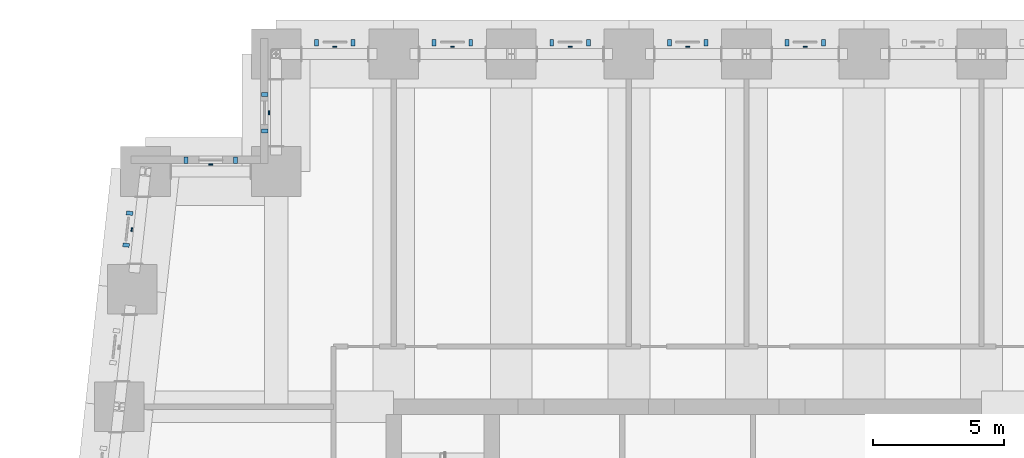
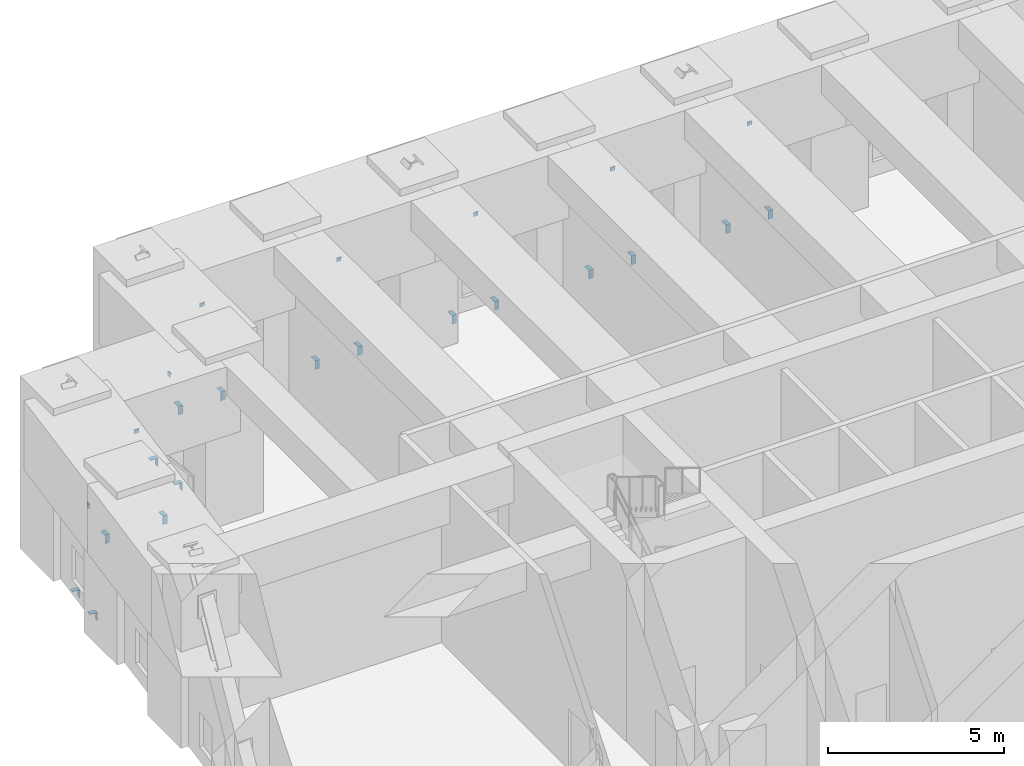
# One storey, part 14 of 17: 24 discrete accessories.
"""IFC4 building model written with IfcOpenShell, lengths in metres."""

import ifcopenshell
import ifcopenshell.guid

model = None  # the IFC model being written
_history = None  # IfcOwnerHistory: only IFC2X3 demands one
_inside = {}  # id of a spatial element -> (the spatial element, [elements in it])
_under = {}  # id of a project, library or spatial element -> (it, [spatial elements below it])
_declared = {}  # id of a project -> (the project, [libraries it declares])
_typed = {}  # id of a type object -> (the type object, [elements of that type])
_made_of = {}  # id of a material, layer set ... -> (it, [elements and type objects made of it])


def new_model(schema):
    """Start an empty IFC model of exactly this schema.

    Asked for "IFC4X3", IfcOpenShell would pick the latest addendum, in which some entities
    have other attributes; the version numbers below select the first issue.
    IFC2X3 requires an IfcOwnerHistory on every rooted entity: one is made here for all.
    """
    global model, _history
    if schema == "IFC4X3":
        model = ifcopenshell.file(schema_version=(4, 3, 0, 0))
    else:
        model = ifcopenshell.file(schema=schema)
    _inside.clear()
    _under.clear()
    _declared.clear()
    _typed.clear()
    _made_of.clear()
    _history = None
    if model.schema == "IFC2X3":
        org = make("IfcOrganization", Name="unknown")
        user = make(
            "IfcPersonAndOrganization",
            ThePerson=make("IfcPerson", FamilyName="unknown"),
            TheOrganization=org,
        )
        app = make(
            "IfcApplication",
            ApplicationDeveloper=org,
            Version="unknown",
            ApplicationFullName="unknown",
            ApplicationIdentifier="unknown",
        )
        _history = make(
            "IfcOwnerHistory",
            OwningUser=user,
            OwningApplication=app,
            ChangeAction="ADDED",
            CreationDate=0,
        )
    return model


def make(cls, **values):
    """One entity of the class cls with the attributes given. An attribute that is None is left unset."""
    return model.create_entity(
        cls, **{name: value for name, value in values.items() if value is not None}
    )


def rooted(cls, **values):
    """An entity with a GlobalId (a new one), such as an element, a storey or a relation."""
    return make(cls, GlobalId=ifcopenshell.guid.new(), OwnerHistory=_history, **values)


def si_unit(unit_type, name, prefix=None):
    """IfcSIUnit, for example si_unit("LENGTHUNIT", "METRE", prefix="MILLI")."""
    return make("IfcSIUnit", UnitType=unit_type, Prefix=prefix, Name=name)


def assignment(units):
    """IfcUnitAssignment: the units of a project."""
    return None if units is None else make("IfcUnitAssignment", Units=units)


def point(xyz):
    """IfcCartesianPoint."""
    return None if xyz is None else make("IfcCartesianPoint", Coordinates=xyz)


def direction(xyz):
    """IfcDirection."""
    return None if xyz is None else make("IfcDirection", DirectionRatios=xyz)


def frame(location, z_axis=None, x_axis=None):
    """IfcAxis2Placement3D, a coordinate frame: its origin and axes. An axis left out is left unset."""
    return make(
        "IfcAxis2Placement3D",
        Location=point(location),
        Axis=direction(z_axis),
        RefDirection=direction(x_axis),
    )


def origin():
    """The frame at (0, 0, 0) with its axes left unset."""
    return frame((0.0, 0.0, 0.0))


def place(relative_to, where):
    """IfcLocalPlacement: puts the frame where relative to a parent placement (None: the world)."""
    return make(
        "IfcLocalPlacement", PlacementRelTo=relative_to, RelativePlacement=where
    )


def context(
    kind, dimensions, precision=None, world=None, true_north=None, identifier=None
):
    """IfcGeometricRepresentationContext, for example the 3D "Model" context."""
    return make(
        "IfcGeometricRepresentationContext",
        ContextIdentifier=identifier,
        ContextType=kind,
        CoordinateSpaceDimension=dimensions,
        Precision=precision,
        WorldCoordinateSystem=world,
        TrueNorth=true_north,
    )


def subcontext(parent, identifier, kind, view, scale=None):
    """IfcGeometricRepresentationSubContext, for example "Body" below "Model"."""
    return make(
        "IfcGeometricRepresentationSubContext",
        ContextIdentifier=identifier,
        ContextType=kind,
        ParentContext=parent,
        TargetScale=scale,
        TargetView=view,
    )


def project(units=None, contexts=None):
    """IfcProject with its units and contexts."""
    return rooted(
        "IfcProject",
        Name="project",
        RepresentationContexts=contexts,
        UnitsInContext=assignment(units),
    )


def spatial(cls, under=None, at=None, **own):
    """A site, building, storey or space (cls), placed at a placement, below another one or the project."""
    s = rooted(cls, ObjectPlacement=at, **own)
    if under is not None:
        _under.setdefault(under.id(), (under, []))[1].append(s)
    return s


def polyline(points):
    """IfcPolyline through the points."""
    return make("IfcPolyline", Points=[point(p) for p in points])


def outline(outer, holes=None, kind="AREA"):
    """IfcArbitraryClosedProfileDef: a profile drawn as a closed curve; with holes, ...WithVoids."""
    if holes is None:
        return make("IfcArbitraryClosedProfileDef", ProfileType=kind, OuterCurve=outer)
    return make(
        "IfcArbitraryProfileDefWithVoids",
        ProfileType=kind,
        OuterCurve=outer,
        InnerCurves=holes,
    )


def extrude(swept, where, along, depth):
    """IfcExtrudedAreaSolid: the profile swept, set in the frame where, extruded along a direction by depth."""
    return make(
        "IfcExtrudedAreaSolid",
        SweptArea=swept,
        Position=where,
        ExtrudedDirection=direction(along),
        Depth=depth,
    )


def shape(context_of_items, identifier, shape_type, items):
    """IfcShapeRepresentation: the items that make up one representation, for example the "Body"."""
    return make(
        "IfcShapeRepresentation",
        ContextOfItems=context_of_items,
        RepresentationIdentifier=identifier,
        RepresentationType=shape_type,
        Items=items,
    )


def source(mapping_origin, context_of_items, identifier, shape_type, items):
    """IfcRepresentationMap: a shape defined once, which mapped items show again and again."""
    return make(
        "IfcRepresentationMap",
        MappingOrigin=mapping_origin,
        MappedRepresentation=shape(context_of_items, identifier, shape_type, items),
    )


def transform(
    local_origin,
    x_axis=None,
    y_axis=None,
    z_axis=None,
    scale=None,
    scale2=None,
    scale3=None,
    uniform=True,
):
    """IfcCartesianTransformationOperator3D, or its non-uniform kind. x_axis, y_axis, z_axis: its Axis1, 2, 3."""
    if uniform:
        return make(
            "IfcCartesianTransformationOperator3D",
            Axis1=direction(x_axis),
            Axis2=direction(y_axis),
            LocalOrigin=point(local_origin),
            Scale=scale,
            Axis3=direction(z_axis),
        )
    return make(
        "IfcCartesianTransformationOperator3DnonUniform",
        Axis1=direction(x_axis),
        Axis2=direction(y_axis),
        LocalOrigin=point(local_origin),
        Scale=scale,
        Axis3=direction(z_axis),
        Scale2=scale2,
        Scale3=scale3,
    )


def mapped(mapping_source, mapping_target):
    """IfcMappedItem: shows the shape of a source again, moved by a transform."""
    return make(
        "IfcMappedItem", MappingSource=mapping_source, MappingTarget=mapping_target
    )


def material(Name=None, Category=None):
    """IfcMaterial."""
    return make("IfcMaterial", Name=Name, Category=Category)


def layer(
    of_material, thickness, ventilated=None, Name=None, Category=None, Priority=None
):
    """IfcMaterialLayer: one layer of a wall or slab, of a material (None: an air gap)."""
    return make(
        "IfcMaterialLayer",
        Material=of_material,
        LayerThickness=thickness,
        IsVentilated=ventilated,
        Name=Name,
        Category=Category,
        Priority=Priority,
    )


def layer_set(layers, Name=None):
    """IfcMaterialLayerSet."""
    return make("IfcMaterialLayerSet", MaterialLayers=layers, LayerSetName=Name)


def made_of(thing, what):
    """Note that an element or type object is made of a material, layer set ...; save() writes the relation."""
    if what is not None:
        _made_of.setdefault(what.id(), (what, []))[1].append(thing)
    return thing


def type_object(cls, material=None, **own):
    """A type object (cls), such as IfcWallType, which elements share."""
    return made_of(rooted(cls, **own), material)


def element(
    cls,
    number,
    at=None,
    inside=None,
    cuts=None,
    type_object=None,
    material=None,
    context=None,
    identifier="Body",
    shape_type=None,
    held_by="IfcProductDefinitionShape",
    body=None,
    shapes=None,
    **own,
):
    """One element of the class cls, such as IfcWall. Its Tag is "e" and its number.

    at: its placement. inside: the storey or other place that contains it. cuts: it is an
    opening in that element (IfcRelVoidsElement). A single representation is given by context,
    identifier, shape_type and body (its items); several are given by shapes. held_by: the class
    of the entity that holds the representations. save() writes the other relations.
    """
    e = rooted(cls, Tag="e%d" % number, ObjectPlacement=at, **own)
    if body is not None:
        shapes = [shape(context, identifier, shape_type, body)]
    if shapes is not None:
        e.Representation = make(held_by, Representations=shapes)
    if inside is not None:
        _inside.setdefault(inside.id(), (inside, []))[1].append(e)
    if cuts is not None:
        rooted(
            "IfcRelVoidsElement", RelatingBuildingElement=cuts, RelatedOpeningElement=e
        )
    if type_object is not None:
        _typed.setdefault(type_object.id(), (type_object, []))[1].append(e)
    return made_of(e, material)


def aggregate(whole, parts):
    """IfcRelAggregates: a whole, such as a stair, and the parts it consists of."""
    return rooted("IfcRelAggregates", RelatingObject=whole, RelatedObjects=parts)


def save(model, path):
    """Write the relations noted so far, then the file.

    IfcRelAggregates (storeys below a building ...), IfcRelContainedInSpatialStructure (elements
    in a storey), IfcRelDefinesByType, IfcRelAssociatesMaterial and IfcRelDeclares: one each for
    every whole, place, type object, material and project.
    """
    for whole, parts in _under.values():
        aggregate(whole, parts)
    for where, things in _inside.values():
        rooted(
            "IfcRelContainedInSpatialStructure",
            RelatedElements=things,
            RelatingStructure=where,
        )
    for kind, things in _typed.values():
        rooted("IfcRelDefinesByType", RelatedObjects=things, RelatingType=kind)
    for what, things in _made_of.values():
        rooted("IfcRelAssociatesMaterial", RelatedObjects=things, RelatingMaterial=what)
    for by, libraries in _declared.values():
        rooted("IfcRelDeclares", RelatingContext=by, RelatedDefinitions=libraries)
    model.write(path)


model = new_model("IFC4")

# Units and contexts
model_context = context("Model", 3, precision=1e-05, world=origin(), true_north=direction((0.0, 1.0)))
body_context = subcontext(model_context, "Body", "Model", "MODEL_VIEW")
ifc_project = project(units=[si_unit("LENGTHUNIT", "METRE"), si_unit("AREAUNIT", "SQUARE_METRE"), si_unit("VOLUMEUNIT", "CUBIC_METRE"), si_unit("PLANEANGLEUNIT", "RADIAN"), si_unit("MASSUNIT", "GRAM", prefix="KILO")], contexts=[model_context])

# Site, building, storey
site_placement = place(None, origin())
site = spatial("IfcSite", under=ifc_project, at=site_placement, CompositionType="ELEMENT")
building_placement = place(site_placement, origin())
building = spatial("IfcBuilding", under=site, at=building_placement, Name="Kilele Tower Hotel", CompositionType="ELEMENT")
storey_placement = place(building_placement, frame((0.0, 0.0, 151.89990234375)))
storey = spatial("IfcBuildingStorey", under=building, at=storey_placement, Name="L39", CompositionType="ELEMENT", Elevation=151.89990234375)

# Discrete accessories
ifc_material_1 = material(Name="Hot-dip galvanized steel S355", Category="steel")
ifc_layer_1 = layer(ifc_material_1, 0.014892578125)
ifc_layer_set_1 = layer_set([ifc_layer_1], Name="Hot-dip galvanized steel S355")
discrete_accessory_type_1 = type_object("IfcDiscreteAccessoryType", Name="Facade panel bearing bracket 250x150x15", PredefinedType="BRACKET", material=ifc_layer_set_1)
shared_shape_1 = source(origin(), body_context, "Body", "SweptSolid", [
    extrude(outline(polyline([(0.0, 0.0), (0.25, 0.0), (0.25, -0.014892578125), (0.014892578125, -0.014892578125), (0.014892578125, -0.300048828125), (0.0, -0.300048828125), (0.0, 0.0)])), origin(), (0.0, 0.0, 1.0), 0.14990234375),
])
for number, where, z_axis, x_axis, name in (
    (1, (29.875, 40.800048828125, 0.0), (1.0, 0.0, 0.0), (0.0, 1.0, 0.0), "Facade panel bearing bracket L39"),
    (2, (28.47509765625, 40.800048828125, 0.0), (1.0, 0.0, 0.0), (0.0, 1.0, 0.0), "Facade panel bearing bracket L39"),
    (3, (25.375, 40.800048828125, 0.0), (1.0, 0.0, 0.0), (0.0, 1.0, 0.0), "Facade panel bearing bracket L39"),
    (4, (23.97509765625, 40.800048828125, 0.0), (1.0, 0.0, 0.0), (0.0, 1.0, 0.0), "Facade panel bearing bracket L39"),
    (5, (20.875, 40.800048828125, 0.0), (1.0, 0.0, 0.0), (0.0, 1.0, 0.0), "Facade panel bearing bracket L39"),
    (6, (19.47509765625, 40.800048828125, 0.0), (1.0, 0.0, 0.0), (0.0, 1.0, 0.0), "Facade panel bearing bracket L39"),
    (7, (16.375, 40.800048828125, 0.0), (1.0, 0.0, 0.0), (0.0, 1.0, 0.0), "Facade panel bearing bracket L39"),
    (8, (14.97509765625, 40.800048828125, 0.0), (1.0, 0.0, 0.0), (0.0, 1.0, 0.0), "Facade panel bearing bracket L39"),
    (9, (11.875, 40.800048828125, 0.0), (1.0, 0.0, 0.0), (0.0, 1.0, 0.0), "Facade panel bearing bracket L39"),
    (10, (10.47509765625, 40.800048828125, 0.0), (1.0, 0.0, 0.0), (0.0, 1.0, 0.0), "Facade panel bearing bracket L39"),
    (11, (8.699951171875, 38.875, 0.0), (0.0, 1.0, 0.0), (-1.0, 0.0, 0.0), "Facade panel bearing bracket L39"),
    (12, (8.699951171875, 37.47509765625, 0.0), (0.0, 1.0, 0.0), (-1.0, 0.0, 0.0), "Facade panel bearing bracket L39"),
    (13, (7.375, 36.300048828125, 0.0), (1.0, 0.0, 0.0), (0.0, 1.0, 0.0), "Facade panel bearing bracket L39"),
    (14, (5.47509765625, 36.300048828125, 0.0), (1.0, 0.0, 0.0), (0.0, 1.0, 0.0), "Facade panel bearing bracket L39"),
    (15, (3.511474609375, 34.319580078125, 0.0), (0.110432, 0.993884, 0.0), (-0.993884, 0.110432, 0.0), "Facade panel bearing bracket L39"),
    (16, (3.375732421875, 33.09765625, 0.0), (0.110432, 0.993884, 0.0), (-0.993884, 0.110432, 0.0), "Facade panel bearing bracket L39"),
):
    element("IfcDiscreteAccessory", number, at=place(storey_placement, frame(where, z_axis=z_axis, x_axis=x_axis)), inside=storey, type_object=discrete_accessory_type_1, Name=name, PredefinedType="BRACKET", context=body_context, shape_type="MappedRepresentation", body=[
        mapped(shared_shape_1, transform((0.0, 0.0, 0.0))),
    ])
ifc_material_2 = material(Name="Hot-dip galvanized steel S355", Category="steel")
ifc_layer_2 = layer(ifc_material_2, 0.011962890625)
ifc_layer_set_2 = layer_set([ifc_layer_2], Name="Hot-dip galvanized steel S355")
discrete_accessory_type_2 = type_object("IfcDiscreteAccessoryType", Name="Facade panel restraint bracket 150x50x12", PredefinedType="BRACKET", material=ifc_layer_set_2)
shared_shape_2 = source(origin(), body_context, "Body", "SweptSolid", [
    extrude(outline(polyline([(0.0, 0.0), (0.0, -0.14990234375), (-0.011962890625, -0.14990234375), (-0.011962890625, -0.011962890625), (-0.050048828125, -0.011962890625), (-0.050048828125, 0.0), (0.0, 0.0)])), origin(), (0.0, 0.0, 1.0), 0.14990234375),
])
for number, where, z_axis, x_axis, name in (
    (17, (29.175048828125, 40.800048828125, 3.35009765625), (1.0, 0.0, 0.0), (0.0, 1.0, 0.0), "Facade panel restraint bracket L39"),
    (18, (24.675048828125, 40.800048828125, 3.35009765625), (1.0, 0.0, 0.0), (0.0, 1.0, 0.0), "Facade panel restraint bracket L39"),
    (19, (20.175048828125, 40.800048828125, 3.35009765625), (1.0, 0.0, 0.0), (0.0, 1.0, 0.0), "Facade panel restraint bracket L39"),
    (20, (15.675048828125, 40.800048828125, 3.35009765625), (1.0, 0.0, 0.0), (0.0, 1.0, 0.0), "Facade panel restraint bracket L39"),
    (21, (11.175048828125, 40.800048828125, 3.35009765625), (1.0, 0.0, 0.0), (0.0, 1.0, 0.0), "Facade panel restraint bracket L39"),
    (22, (8.699951171875, 38.175048828125, 3.35009765625), (0.0, 1.0, 0.0), (-1.0, 0.0, 0.0), "Facade panel restraint bracket L39"),
    (23, (6.425048828125, 36.300048828125, 3.35009765625), (1.0, 0.0, 0.0), (0.0, 1.0, 0.0), "Facade panel restraint bracket L39"),
    (24, (3.443603515625, 33.70849609375, 3.35009765625), (0.110432, 0.993884, 0.0), (-0.993884, 0.110432, 0.0), "Facade panel restraint bracket L39"),
):
    element("IfcDiscreteAccessory", number, at=place(storey_placement, frame(where, z_axis=z_axis, x_axis=x_axis)), inside=storey, type_object=discrete_accessory_type_2, Name=name, PredefinedType="BRACKET", context=body_context, shape_type="MappedRepresentation", body=[
        mapped(shared_shape_2, transform((0.0, 0.0, 0.0))),
    ])

save(model, "model.ifc")
